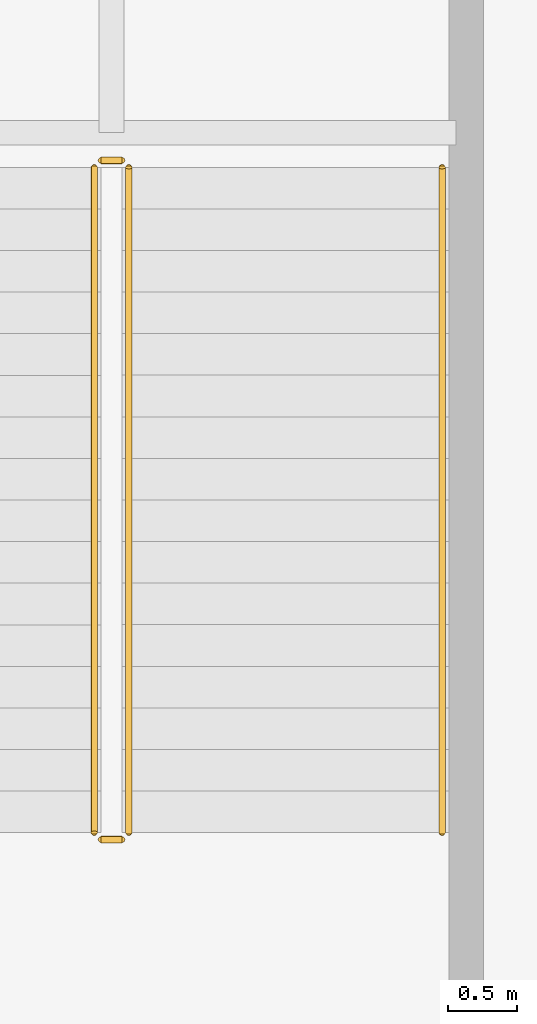
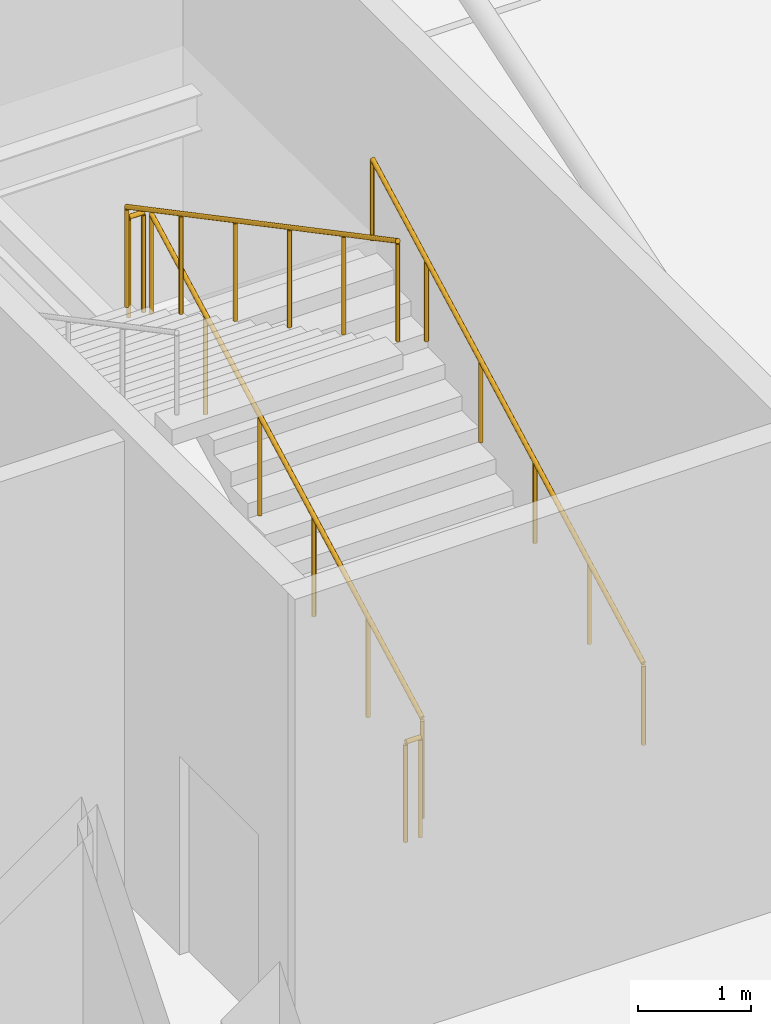
# One storey, part 72 of 89: 5 railings.
"""IFC4 building model written with IfcOpenShell, lengths in metres."""

from ifc_helpers import new_model, si_unit, direction, frame, origin, origin_2d, place, context, subcontext, project, spatial, circle, extrude, material, type_object, element, save


model = new_model("IFC4")

# Units and contexts
model_context = context("Model", 3, precision=1e-05, world=origin(), true_north=direction((0.0, 1.0)))
body_context = subcontext(model_context, "Body", "Model", "MODEL_VIEW")
ifc_project = project(units=[si_unit("LENGTHUNIT", "METRE"), si_unit("AREAUNIT", "SQUARE_METRE"), si_unit("VOLUMEUNIT", "CUBIC_METRE"), si_unit("PLANEANGLEUNIT", "RADIAN"), si_unit("MASSUNIT", "GRAM", prefix="KILO")], contexts=[model_context])

# Site, building, storey
site_placement = place(None, origin())
site = spatial("IfcSite", under=ifc_project, at=site_placement, CompositionType="ELEMENT")
building_placement = place(site_placement, origin())
building = spatial("IfcBuilding", under=site, at=building_placement, Name="Koshinbarg Plaza Stadium", CompositionType="ELEMENT")
storey_placement = place(building_placement, origin())
storey = spatial("IfcBuildingStorey", under=building, at=storey_placement, Name="L00", CompositionType="ELEMENT", Elevation=0.0)

# Railings
ifc_material_1 = material(Name="Galvanized painted steel guardrail", Category="steel")
railing_type_1 = type_object("IfcRailingType", Name="RL-GUARD-1100", PredefinedType="GUARDRAIL", material=ifc_material_1)
railing_1_placement = place(storey_placement, frame((50.360107421875, 116.360107421875, 0.158935546875)))
element("IfcRailing", 1, at=railing_1_placement, inside=storey, type_object=railing_type_1, Name="L00 VL04 stair guard 1", PredefinedType="GUARDRAIL", context=body_context, shape_type="SweptSolid", body=[
    extrude(circle(Radius=0.02392578125, at=origin_2d()), frame((0.0, 0.0, 1.076171875), z_axis=(0.0, 0.883792290195, 0.467879458614), x_axis=(-1.0, 0.0, 0.0)), (0.0, 0.0, 1.0), 5.430908203125),
    extrude(circle(Radius=0.02099609375, at=origin_2d()), origin(), (0.0, 0.0, 1.0), 1.052001953125),
    extrude(circle(Radius=0.02099609375, at=origin_2d()), frame((0.0, 0.9599609375, 0.50830078125)), (0.0, 0.0, 1.0), 1.052001953125),
    extrude(circle(Radius=0.02099609375, at=origin_2d()), frame((0.0, 1.919921875, 1.016357421875)), (0.0, 0.0, 1.0), 1.052001953125),
    extrude(circle(Radius=0.02099609375, at=origin_2d()), frame((0.0, 2.8798828125, 1.524658203125)), (0.0, 0.0, 1.0), 1.052001953125),
    extrude(circle(Radius=0.02099609375, at=origin_2d()), frame((0.0, 3.83984375, 2.03271484375)), (0.0, 0.0, 1.0), 1.052001953125),
    extrude(circle(Radius=0.02099609375, at=origin_2d()), frame((0.0, 4.7998046875, 2.541015625)), (0.0, 0.0, 1.0), 1.052001953125),
])
railing_2_placement = place(storey_placement, frame((50.31005859375, 121.2099609375, 2.699951171875)))
element("IfcRailing", 2, at=railing_2_placement, inside=storey, type_object=railing_type_1, Name="L00 VL04 stair guard 2", PredefinedType="GUARDRAIL", context=body_context, shape_type="SweptSolid", body=[
    extrude(circle(Radius=0.02392578125, at=origin_2d()), frame((0.0, 0.0, 1.076171875), z_axis=(-1.0, 0.0, 0.0), x_axis=(0.0, -1.0, 0.0)), (0.0, 0.0, 1.0), 0.150146484375),
    extrude(circle(Radius=0.02099609375, at=origin_2d()), origin(), (0.0, 0.0, 1.0), 1.052001953125),
    extrude(circle(Radius=0.02099609375, at=origin_2d()), frame((-0.150146484375, 0.0, 0.0)), (0.0, 0.0, 1.0), 1.052001953125),
])
railing_3_placement = place(storey_placement, frame((50.110107421875, 121.159912109375, 2.85888671875)))
element("IfcRailing", 3, at=railing_3_placement, inside=storey, type_object=railing_type_1, Name="L00 VL04 stair guard 3", PredefinedType="GUARDRAIL", context=body_context, shape_type="SweptSolid", body=[
    extrude(circle(Radius=0.02392578125, at=origin_2d()), frame((0.0, 0.0, 1.076171875), z_axis=(0.0, -0.883792290195, 0.467879458614), x_axis=(1.0, 0.0, 0.0)), (0.0, 0.0, 1.0), 5.430908203125),
    extrude(circle(Radius=0.02099609375, at=origin_2d()), origin(), (0.0, 0.0, 1.0), 1.052001953125),
    extrude(circle(Radius=0.02099609375, at=origin_2d()), frame((0.0, -0.9599609375, 0.50830078125)), (0.0, 0.0, 1.0), 1.052001953125),
    extrude(circle(Radius=0.02099609375, at=origin_2d()), frame((0.0, -1.919921875, 1.016357421875)), (0.0, 0.0, 1.0), 1.052001953125),
    extrude(circle(Radius=0.02099609375, at=origin_2d()), frame((0.0, -2.8798828125, 1.524658203125)), (0.0, 0.0, 1.0), 1.052001953125),
    extrude(circle(Radius=0.02099609375, at=origin_2d()), frame((0.0, -3.83984375, 2.03271484375)), (0.0, 0.0, 1.0), 1.052001953125),
    extrude(circle(Radius=0.02099609375, at=origin_2d()), frame((0.0, -4.7998046875, 2.541015625)), (0.0, 0.0, 1.0), 1.052001953125),
])
railing_4_placement = place(storey_placement, frame((50.31005859375, 116.31005859375, 0.0)))
element("IfcRailing", 4, at=railing_4_placement, inside=storey, type_object=railing_type_1, Name="L00 VL04 stair guard 4", PredefinedType="GUARDRAIL", context=body_context, shape_type="SweptSolid", body=[
    extrude(circle(Radius=0.02392578125, at=origin_2d()), frame((0.0, 0.0, 1.076171875), z_axis=(-1.0, 0.0, 0.0), x_axis=(0.0, -1.0, 0.0)), (0.0, 0.0, 1.0), 0.150146484375),
    extrude(circle(Radius=0.02099609375, at=origin_2d()), origin(), (0.0, 0.0, 1.0), 1.052001953125),
    extrude(circle(Radius=0.02099609375, at=origin_2d()), frame((-0.150146484375, 0.0, 0.0)), (0.0, 0.0, 1.0), 1.052001953125),
])
ifc_material_2 = material(Name="Brushed stainless steel handrail", Category="steel")
railing_type_2 = type_object("IfcRailingType", Name="RL-HAND-900", PredefinedType="HANDRAIL", material=ifc_material_2)
railing_5_placement = place(storey_placement, frame((52.6201171875, 116.360107421875, 0.158935546875)))
element("IfcRailing", 5, at=railing_5_placement, inside=storey, type_object=railing_type_2, Name="L00 VL04 stair handrail 1", PredefinedType="HANDRAIL", context=body_context, shape_type="SweptSolid", body=[
    extrude(circle(Radius=0.02392578125, at=origin_2d()), frame((0.0, 0.0, 0.8759765625), z_axis=(0.0, 0.883792290195, 0.467879458614), x_axis=(-1.0, 0.0, 0.0)), (0.0, 0.0, 1.0), 5.430908203125),
    extrude(circle(Radius=0.02099609375, at=origin_2d()), origin(), (0.0, 0.0, 1.0), 0.851806640625),
    extrude(circle(Radius=0.02099609375, at=origin_2d()), frame((0.0, 0.9599609375, 0.50830078125)), (0.0, 0.0, 1.0), 0.851806640625),
    extrude(circle(Radius=0.02099609375, at=origin_2d()), frame((0.0, 1.919921875, 1.016357421875)), (0.0, 0.0, 1.0), 0.851806640625),
    extrude(circle(Radius=0.02099609375, at=origin_2d()), frame((0.0, 2.8798828125, 1.524658203125)), (0.0, 0.0, 1.0), 0.851806640625),
    extrude(circle(Radius=0.02099609375, at=origin_2d()), frame((0.0, 3.83984375, 2.03271484375)), (0.0, 0.0, 1.0), 0.851806640625),
    extrude(circle(Radius=0.02099609375, at=origin_2d()), frame((0.0, 4.7998046875, 2.541015625)), (0.0, 0.0, 1.0), 0.851806640625),
])

save(model, "model.ifc")
